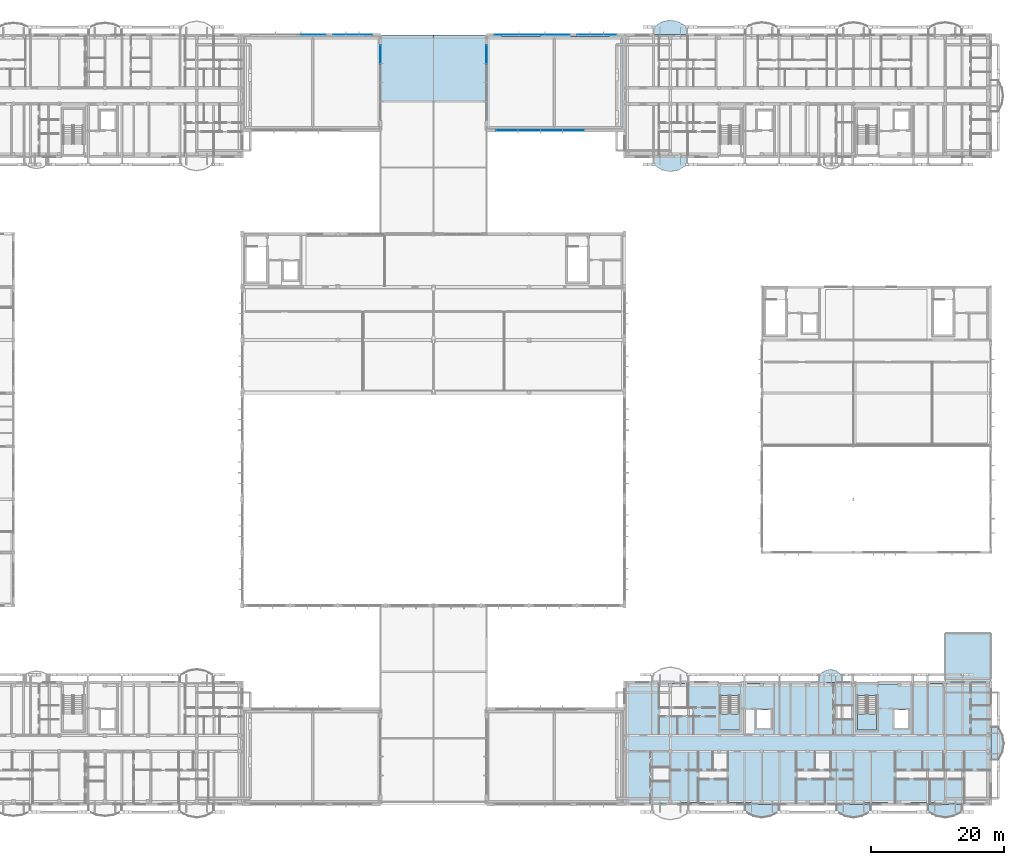
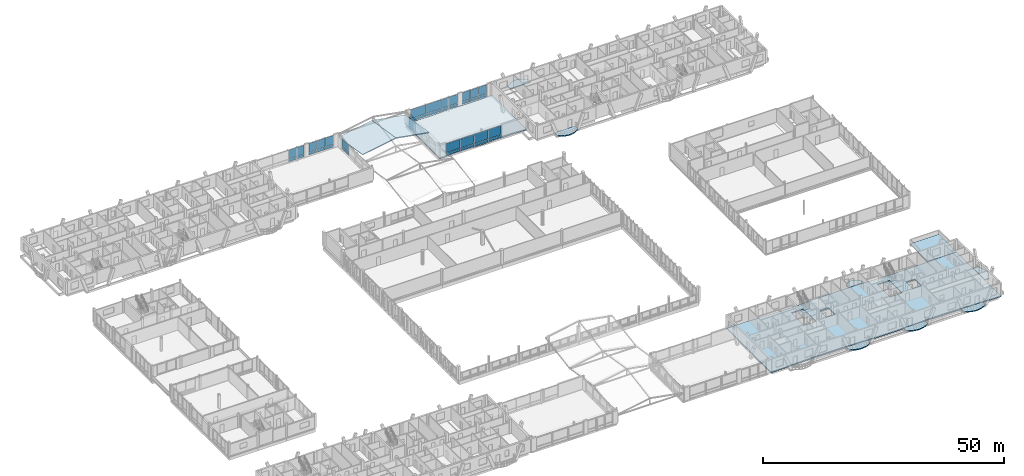
# One storey, part 130 of 189: 32 plates, 14 slabs, 9 elements without a shape of their own.
"""IFC4 building model written with IfcOpenShell, lengths in metres."""

from ifc_helpers import new_model, si_unit, direction, frame, origin, origin_2d, place, context, subcontext, project, spatial, polyline, rectangle, outline, extrude, material, layer, layer_set, type_object, element, aggregate, save


model = new_model("IFC4")

# Units and contexts
model_context = context("Model", 3, precision=1e-05, world=origin(), true_north=direction((0.0, 1.0)))
body_context = subcontext(model_context, "Body", "Model", "MODEL_VIEW")
ifc_project = project(units=[si_unit("LENGTHUNIT", "METRE"), si_unit("AREAUNIT", "SQUARE_METRE"), si_unit("VOLUMEUNIT", "CUBIC_METRE"), si_unit("PLANEANGLEUNIT", "RADIAN"), si_unit("MASSUNIT", "GRAM", prefix="KILO")], contexts=[model_context])

# Site, building, storey
site_placement = place(None, origin())
site = spatial("IfcSite", under=ifc_project, at=site_placement, CompositionType="ELEMENT")
building_placement = place(site_placement, origin())
building = spatial("IfcBuilding", under=site, at=building_placement, Name="Zavelmont Quarter", CompositionType="ELEMENT")
storey_placement = place(building_placement, frame((0.0, 0.0, 4.39990234375)))
storey = spatial("IfcBuildingStorey", under=building, at=storey_placement, Name="L01", CompositionType="ELEMENT", Elevation=4.39990234375)

# Curtain wall, plates
ifc_material_1 = material(Name="Thermally broken aluminium and double low-E safety glazing", Category="aluminium")
curtain_wall_type_1 = type_object("IfcCurtainWallType", Name="CW-600X310", PredefinedType="NOTDEFINED", material=ifc_material_1)
curtain_wall_1_placement = place(storey_placement, origin())
curtain_wall_1 = element("IfcCurtainWall", 1, at=curtain_wall_1_placement, inside=storey, type_object=curtain_wall_type_1, Name="L01 unitised curtain wall CW-600X310", PredefinedType="NOTDEFINED")
ifc_material_2 = material(Name="Insulated anodised-aluminium spandrel panel", Category="aluminium")
ifc_layer_1 = layer(ifc_material_2, 0.0400390625)
ifc_layer_set_1 = layer_set([ifc_layer_1], Name="Insulated anodised-aluminium spandrel panel")
plate_type_1 = type_object("IfcPlateType", Name="CWP-SPD-1910X655", PredefinedType="CURTAIN_PANEL", material=ifc_layer_set_1)
plate_1_placement = place(storey_placement, frame((69.81494140625, 116.0, 0.06005859375), z_axis=(0.0, 0.0, 1.0), x_axis=(1.0, 0.0, 0.0)))
plate_1 = element("IfcPlate", 2, at=plate_1_placement, type_object=plate_type_1, Name="CW-600X310 panel 1.1", PredefinedType="CURTAIN_PANEL", context=body_context, shape_type="SweptSolid", body=[
    extrude(rectangle(XDim=1.909912109375, YDim=0.0400390625, at=origin_2d()), origin(), (0.0, 0.0, 1.0), 0.654052734375),
])
plate_2_placement = place(storey_placement, frame((73.784912109375, 116.0, 0.06005859375), z_axis=(0.0, 0.0, 1.0), x_axis=(1.0, 0.0, 0.0)))
plate_2 = element("IfcPlate", 3, at=plate_2_placement, type_object=plate_type_1, Name="CW-600X310 panel 3.1", PredefinedType="CURTAIN_PANEL", context=body_context, shape_type="SweptSolid", body=[
    extrude(rectangle(XDim=1.909912109375, YDim=0.0400390625, at=origin_2d()), origin(), (0.0, 0.0, 1.0), 0.654052734375),
])

curtain_wall_2_placement = place(storey_placement, origin())
curtain_wall_2 = element("IfcCurtainWall", 4, at=curtain_wall_2_placement, inside=storey, type_object=curtain_wall_type_1, Name="L01 unitised curtain wall CW-600X310", PredefinedType="NOTDEFINED")
plate_3_placement = place(storey_placement, frame((106.614990234375, 116.0, 0.06005859375), z_axis=(0.0, 0.0, 1.0), x_axis=(1.0, 0.0, 0.0)))
plate_3 = element("IfcPlate", 5, at=plate_3_placement, type_object=plate_type_1, Name="CW-600X310 panel 1.1", PredefinedType="CURTAIN_PANEL", context=body_context, shape_type="SweptSolid", body=[
    extrude(rectangle(XDim=1.909912109375, YDim=0.0400390625, at=origin_2d()), origin(), (0.0, 0.0, 1.0), 0.654052734375),
])
plate_4_placement = place(storey_placement, frame((110.5849609375, 116.0, 0.06005859375), z_axis=(0.0, 0.0, 1.0), x_axis=(1.0, 0.0, 0.0)))
plate_4 = element("IfcPlate", 6, at=plate_4_placement, type_object=plate_type_1, Name="CW-600X310 panel 3.1", PredefinedType="CURTAIN_PANEL", context=body_context, shape_type="SweptSolid", body=[
    extrude(rectangle(XDim=1.909912109375, YDim=0.0400390625, at=origin_2d()), origin(), (0.0, 0.0, 1.0), 0.654052734375),
])

# Plate
ifc_layer_2 = layer(ifc_material_2, 0.0400390625)
ifc_layer_set_2 = layer_set([ifc_layer_2], Name="Insulated anodised-aluminium spandrel panel")
plate_type_2 = type_object("IfcPlateType", Name="CWP-SPD-1940X655", PredefinedType="CURTAIN_PANEL", material=ifc_layer_set_2)
plate_5_placement = place(storey_placement, frame((71.800048828125, 116.0, 0.06005859375), z_axis=(0.0, 0.0, 1.0), x_axis=(1.0, 0.0, 0.0)))
plate_5 = element("IfcPlate", 7, at=plate_5_placement, type_object=plate_type_2, Name="CW-600X310 panel 2.1", PredefinedType="CURTAIN_PANEL", context=body_context, shape_type="SweptSolid", body=[
    extrude(rectangle(XDim=1.93994140625, YDim=0.0400390625, at=origin_2d()), origin(), (0.0, 0.0, 1.0), 0.654052734375),
])

plate_6_placement = place(storey_placement, frame((108.60009765625, 116.0, 0.06005859375), z_axis=(0.0, 0.0, 1.0), x_axis=(1.0, 0.0, 0.0)))
plate_6 = element("IfcPlate", 8, at=plate_6_placement, type_object=plate_type_2, Name="CW-600X310 panel 2.1", PredefinedType="CURTAIN_PANEL", context=body_context, shape_type="SweptSolid", body=[
    extrude(rectangle(XDim=1.93994140625, YDim=0.0400390625, at=origin_2d()), origin(), (0.0, 0.0, 1.0), 0.654052734375),
])

# Curtain wall, plate
curtain_wall_type_2 = type_object("IfcCurtainWallType", Name="CW-1140X280", PredefinedType="NOTDEFINED", material=ifc_material_1)
curtain_wall_3_placement = place(storey_placement, origin())
curtain_wall_3 = element("IfcCurtainWall", 9, at=curtain_wall_3_placement, inside=storey, type_object=curtain_wall_type_2, Name="L01 unitised curtain wall CW-1140X280", PredefinedType="NOTDEFINED")
ifc_layer_3 = layer(ifc_material_2, 0.0400390625)
ifc_layer_set_3 = layer_set([ifc_layer_3], Name="Insulated anodised-aluminium spandrel panel")
plate_type_3 = type_object("IfcPlateType", Name="CWP-SPD-2760X580", PredefinedType="CURTAIN_PANEL", material=ifc_layer_set_3)
plate_7_placement = place(storey_placement, frame((76.0, 113.06005859375, 0.06005859375), z_axis=(0.0, 0.0, 1.0), x_axis=(0.0, 1.0, 0.0)))
plate_7 = element("IfcPlate", 10, at=plate_7_placement, type_object=plate_type_3, Name="CW-1140X280 panel 4.1", PredefinedType="CURTAIN_PANEL", context=body_context, shape_type="SweptSolid", body=[
    extrude(rectangle(XDim=2.760009765625, YDim=0.0400390625, at=origin_2d()), origin(), (0.0, 0.0, 1.0), 0.58203125),
])

curtain_wall_4_placement = place(storey_placement, origin())
curtain_wall_4 = element("IfcCurtainWall", 11, at=curtain_wall_4_placement, inside=storey, type_object=curtain_wall_type_2, Name="L01 unitised curtain wall CW-1140X280", PredefinedType="NOTDEFINED")
plate_8_placement = place(storey_placement, frame((92.0, 113.06005859375, 0.06005859375), z_axis=(0.0, 0.0, 1.0), x_axis=(0.0, 1.0, 0.0)))
plate_8 = element("IfcPlate", 12, at=plate_8_placement, type_object=plate_type_3, Name="CW-1140X280 panel 4.1", PredefinedType="CURTAIN_PANEL", context=body_context, shape_type="SweptSolid", body=[
    extrude(rectangle(XDim=2.760009765625, YDim=0.0400390625, at=origin_2d()), origin(), (0.0, 0.0, 1.0), 0.58203125),
])

# Curtain wall, plates
curtain_wall_type_3 = type_object("IfcCurtainWallType", Name="CW-1340X310", PredefinedType="NOTDEFINED", material=ifc_material_1)
curtain_wall_5_placement = place(storey_placement, origin())
curtain_wall_5 = element("IfcCurtainWall", 13, at=curtain_wall_5_placement, inside=storey, type_object=curtain_wall_type_3, Name="L01 unitised curtain wall CW-1340X310", PredefinedType="NOTDEFINED")
ifc_layer_4 = layer(ifc_material_2, 0.0400390625)
ifc_layer_set_4 = layer_set([ifc_layer_4], Name="Insulated anodised-aluminium spandrel panel")
plate_type_4 = type_object("IfcPlateType", Name="CWP-SPD-3260X655", PredefinedType="CURTAIN_PANEL", material=ifc_layer_set_4)
plate_9_placement = place(storey_placement, frame((95.090087890625, 101.60009765625, 0.06005859375), z_axis=(0.0, 0.0, 1.0), x_axis=(1.0, 0.0, 0.0)))
plate_9 = element("IfcPlate", 14, at=plate_9_placement, type_object=plate_type_4, Name="CW-1340X310 panel 1.1", PredefinedType="CURTAIN_PANEL", context=body_context, shape_type="SweptSolid", body=[
    extrude(rectangle(XDim=3.260009765625, YDim=0.0400390625, at=origin_2d()), origin(), (0.0, 0.0, 1.0), 0.654052734375),
])
plate_10_placement = place(storey_placement, frame((105.110107421875, 101.60009765625, 0.06005859375), z_axis=(0.0, 0.0, 1.0), x_axis=(1.0, 0.0, 0.0)))
plate_10 = element("IfcPlate", 15, at=plate_10_placement, type_object=plate_type_4, Name="CW-1340X310 panel 4.1", PredefinedType="CURTAIN_PANEL", context=body_context, shape_type="SweptSolid", body=[
    extrude(rectangle(XDim=3.260009765625, YDim=0.0400390625, at=origin_2d()), origin(), (0.0, 0.0, 1.0), 0.654052734375),
])
ifc_layer_5 = layer(ifc_material_2, 0.0400390625)
ifc_layer_set_5 = layer_set([ifc_layer_5], Name="Insulated anodised-aluminium spandrel panel")
plate_type_5 = type_object("IfcPlateType", Name="CWP-SPD-3290X655", PredefinedType="CURTAIN_PANEL", material=ifc_layer_set_5)
plate_11_placement = place(storey_placement, frame((98.425048828125, 101.60009765625, 0.06005859375), z_axis=(0.0, 0.0, 1.0), x_axis=(1.0, 0.0, 0.0)))
plate_11 = element("IfcPlate", 16, at=plate_11_placement, type_object=plate_type_5, Name="CW-1340X310 panel 2.1", PredefinedType="CURTAIN_PANEL", context=body_context, shape_type="SweptSolid", body=[
    extrude(rectangle(XDim=3.2900390625, YDim=0.0400390625, at=origin_2d()), origin(), (0.0, 0.0, 1.0), 0.654052734375),
])
plate_12_placement = place(storey_placement, frame((101.77490234375, 101.60009765625, 0.06005859375), z_axis=(0.0, 0.0, 1.0), x_axis=(1.0, 0.0, 0.0)))
plate_12 = element("IfcPlate", 17, at=plate_12_placement, type_object=plate_type_5, Name="CW-1340X310 panel 3.1", PredefinedType="CURTAIN_PANEL", context=body_context, shape_type="SweptSolid", body=[
    extrude(rectangle(XDim=3.2900390625, YDim=0.0400390625, at=origin_2d()), origin(), (0.0, 0.0, 1.0), 0.654052734375),
])

# Curtain wall, plate
curtain_wall_type_4 = type_object("IfcCurtainWallType", Name="CW-1140X310", PredefinedType="NOTDEFINED", material=ifc_material_1)
curtain_wall_6_placement = place(storey_placement, origin())
curtain_wall_6 = element("IfcCurtainWall", 18, at=curtain_wall_6_placement, inside=storey, type_object=curtain_wall_type_4, Name="L01 unitised curtain wall CW-1140X310", PredefinedType="NOTDEFINED")
ifc_layer_6 = layer(ifc_material_2, 0.0400390625)
ifc_layer_set_6 = layer_set([ifc_layer_6], Name="Insulated anodised-aluminium spandrel panel")
plate_type_6 = type_object("IfcPlateType", Name="CWP-SPD-3710X655", PredefinedType="CURTAIN_PANEL", material=ifc_layer_set_6)
plate_13_placement = place(storey_placement, frame((65.885009765625, 116.0, 0.06005859375), z_axis=(0.0, 0.0, 1.0), x_axis=(1.0, 0.0, 0.0)))
plate_13 = element("IfcPlate", 19, at=plate_13_placement, type_object=plate_type_6, Name="CW-1140X310 panel 3.1", PredefinedType="CURTAIN_PANEL", context=body_context, shape_type="SweptSolid", body=[
    extrude(rectangle(XDim=3.7099609375, YDim=0.0400390625, at=origin_2d()), origin(), (0.0, 0.0, 1.0), 0.654052734375),
])

# Curtain wall, plates
curtain_wall_7_placement = place(storey_placement, origin())
curtain_wall_7 = element("IfcCurtainWall", 20, at=curtain_wall_7_placement, inside=storey, type_object=curtain_wall_type_4, Name="L01 unitised curtain wall CW-1140X310", PredefinedType="NOTDEFINED")
plate_14_placement = place(storey_placement, frame((95.114990234375, 116.0, 0.06005859375), z_axis=(0.0, 0.0, 1.0), x_axis=(1.0, 0.0, 0.0)))
plate_14 = element("IfcPlate", 21, at=plate_14_placement, type_object=plate_type_6, Name="CW-1140X310 panel 1.1", PredefinedType="CURTAIN_PANEL", context=body_context, shape_type="SweptSolid", body=[
    extrude(rectangle(XDim=3.7099609375, YDim=0.0400390625, at=origin_2d()), origin(), (0.0, 0.0, 1.0), 0.654052734375),
])
plate_15_placement = place(storey_placement, frame((102.68505859375, 116.0, 0.06005859375), z_axis=(0.0, 0.0, 1.0), x_axis=(1.0, 0.0, 0.0)))
plate_15 = element("IfcPlate", 22, at=plate_15_placement, type_object=plate_type_6, Name="CW-1140X310 panel 3.1", PredefinedType="CURTAIN_PANEL", context=body_context, shape_type="SweptSolid", body=[
    extrude(rectangle(XDim=3.7099609375, YDim=0.0400390625, at=origin_2d()), origin(), (0.0, 0.0, 1.0), 0.654052734375),
])
ifc_layer_7 = layer(ifc_material_2, 0.0400390625)
ifc_layer_set_7 = layer_set([ifc_layer_7], Name="Insulated anodised-aluminium spandrel panel")
plate_type_7 = type_object("IfcPlateType", Name="CWP-SPD-3740X655", PredefinedType="CURTAIN_PANEL", material=ifc_layer_set_7)
plate_16_placement = place(storey_placement, frame((98.89990234375, 116.0, 0.06005859375), z_axis=(0.0, 0.0, 1.0), x_axis=(1.0, 0.0, 0.0)))
plate_16 = element("IfcPlate", 23, at=plate_16_placement, type_object=plate_type_7, Name="CW-1140X310 panel 2.1", PredefinedType="CURTAIN_PANEL", context=body_context, shape_type="SweptSolid", body=[
    extrude(rectangle(XDim=3.739990234375, YDim=0.0400390625, at=origin_2d()), origin(), (0.0, 0.0, 1.0), 0.654052734375),
])

# Plate
ifc_material_3 = material(Name="Double low-E insulated vision glass", Category="glass")
ifc_layer_8 = layer(ifc_material_3, 0.028076171875)
ifc_layer_set_8 = layer_set([ifc_layer_8], Name="Double low-E insulated vision glass")
plate_type_8 = type_object("IfcPlateType", Name="CWP-VIS-1910X2265", PredefinedType="CURTAIN_PANEL", material=ifc_layer_set_8)
plate_17_placement = place(storey_placement, frame((69.81494140625, 116.0, 0.77392578125), z_axis=(0.0, 0.0, 1.0), x_axis=(1.0, 0.0, 0.0)))
plate_17 = element("IfcPlate", 24, at=plate_17_placement, type_object=plate_type_8, Name="CW-600X310 panel 1.2", PredefinedType="CURTAIN_PANEL", context=body_context, shape_type="SweptSolid", body=[
    extrude(rectangle(XDim=1.909912109375, YDim=0.028076171875, at=origin_2d()), origin(), (0.0, 0.0, 1.0), 2.26611328125),
])

plate_18_placement = place(storey_placement, frame((73.784912109375, 116.0, 0.77392578125), z_axis=(0.0, 0.0, 1.0), x_axis=(1.0, 0.0, 0.0)))
plate_18 = element("IfcPlate", 25, at=plate_18_placement, type_object=plate_type_8, Name="CW-600X310 panel 3.2", PredefinedType="CURTAIN_PANEL", context=body_context, shape_type="SweptSolid", body=[
    extrude(rectangle(XDim=1.909912109375, YDim=0.028076171875, at=origin_2d()), origin(), (0.0, 0.0, 1.0), 2.26611328125),
])

plate_19_placement = place(storey_placement, frame((106.614990234375, 116.0, 0.77392578125), z_axis=(0.0, 0.0, 1.0), x_axis=(1.0, 0.0, 0.0)))
plate_19 = element("IfcPlate", 26, at=plate_19_placement, type_object=plate_type_8, Name="CW-600X310 panel 1.2", PredefinedType="CURTAIN_PANEL", context=body_context, shape_type="SweptSolid", body=[
    extrude(rectangle(XDim=1.909912109375, YDim=0.028076171875, at=origin_2d()), origin(), (0.0, 0.0, 1.0), 2.26611328125),
])

plate_20_placement = place(storey_placement, frame((110.5849609375, 116.0, 0.77392578125), z_axis=(0.0, 0.0, 1.0), x_axis=(1.0, 0.0, 0.0)))
plate_20 = element("IfcPlate", 27, at=plate_20_placement, type_object=plate_type_8, Name="CW-600X310 panel 3.2", PredefinedType="CURTAIN_PANEL", context=body_context, shape_type="SweptSolid", body=[
    extrude(rectangle(XDim=1.909912109375, YDim=0.028076171875, at=origin_2d()), origin(), (0.0, 0.0, 1.0), 2.26611328125),
])

ifc_layer_9 = layer(ifc_material_3, 0.028076171875)
ifc_layer_set_9 = layer_set([ifc_layer_9], Name="Double low-E insulated vision glass")
plate_type_9 = type_object("IfcPlateType", Name="CWP-VIS-1940X2265", PredefinedType="CURTAIN_PANEL", material=ifc_layer_set_9)
plate_21_placement = place(storey_placement, frame((71.800048828125, 116.0, 0.77392578125), z_axis=(0.0, 0.0, 1.0), x_axis=(1.0, 0.0, 0.0)))
plate_21 = element("IfcPlate", 28, at=plate_21_placement, type_object=plate_type_9, Name="CW-600X310 panel 2.2", PredefinedType="CURTAIN_PANEL", context=body_context, shape_type="SweptSolid", body=[
    extrude(rectangle(XDim=1.93994140625, YDim=0.028076171875, at=origin_2d()), origin(), (0.0, 0.0, 1.0), 2.26611328125),
])

aggregate(curtain_wall_1, [plate_1, plate_17, plate_5, plate_21, plate_2, plate_18])

plate_22_placement = place(storey_placement, frame((108.60009765625, 116.0, 0.77392578125), z_axis=(0.0, 0.0, 1.0), x_axis=(1.0, 0.0, 0.0)))
plate_22 = element("IfcPlate", 29, at=plate_22_placement, type_object=plate_type_9, Name="CW-600X310 panel 2.2", PredefinedType="CURTAIN_PANEL", context=body_context, shape_type="SweptSolid", body=[
    extrude(rectangle(XDim=1.93994140625, YDim=0.028076171875, at=origin_2d()), origin(), (0.0, 0.0, 1.0), 2.26611328125),
])

aggregate(curtain_wall_2, [plate_3, plate_19, plate_6, plate_22, plate_4, plate_20])

ifc_layer_10 = layer(ifc_material_3, 0.028076171875)
ifc_layer_set_10 = layer_set([ifc_layer_10], Name="Double low-E insulated vision glass")
plate_type_10 = type_object("IfcPlateType", Name="CWP-VIS-2760X2040", PredefinedType="CURTAIN_PANEL", material=ifc_layer_set_10)
plate_23_placement = place(storey_placement, frame((76.0, 113.06005859375, 0.7021484375), z_axis=(0.0, 0.0, 1.0), x_axis=(0.0, 1.0, 0.0)))
plate_23 = element("IfcPlate", 30, at=plate_23_placement, type_object=plate_type_10, Name="CW-1140X280 panel 4.2", PredefinedType="CURTAIN_PANEL", context=body_context, shape_type="SweptSolid", body=[
    extrude(rectangle(XDim=2.760009765625, YDim=0.028076171875, at=origin_2d()), origin(), (0.0, 0.0, 1.0), 2.0380859375),
])

aggregate(curtain_wall_3, [plate_7, plate_23])

plate_24_placement = place(storey_placement, frame((92.0, 113.06005859375, 0.7021484375), z_axis=(0.0, 0.0, 1.0), x_axis=(0.0, 1.0, 0.0)))
plate_24 = element("IfcPlate", 31, at=plate_24_placement, type_object=plate_type_10, Name="CW-1140X280 panel 4.2", PredefinedType="CURTAIN_PANEL", context=body_context, shape_type="SweptSolid", body=[
    extrude(rectangle(XDim=2.760009765625, YDim=0.028076171875, at=origin_2d()), origin(), (0.0, 0.0, 1.0), 2.0380859375),
])

aggregate(curtain_wall_4, [plate_8, plate_24])

ifc_layer_11 = layer(ifc_material_3, 0.028076171875)
ifc_layer_set_11 = layer_set([ifc_layer_11], Name="Double low-E insulated vision glass")
plate_type_11 = type_object("IfcPlateType", Name="CWP-VIS-3260X2265", PredefinedType="CURTAIN_PANEL", material=ifc_layer_set_11)
plate_25_placement = place(storey_placement, frame((95.090087890625, 101.60009765625, 0.77392578125), z_axis=(0.0, 0.0, 1.0), x_axis=(1.0, 0.0, 0.0)))
plate_25 = element("IfcPlate", 32, at=plate_25_placement, type_object=plate_type_11, Name="CW-1340X310 panel 1.2", PredefinedType="CURTAIN_PANEL", context=body_context, shape_type="SweptSolid", body=[
    extrude(rectangle(XDim=3.260009765625, YDim=0.028076171875, at=origin_2d()), origin(), (0.0, 0.0, 1.0), 2.26611328125),
])

plate_26_placement = place(storey_placement, frame((105.110107421875, 101.60009765625, 0.77392578125), z_axis=(0.0, 0.0, 1.0), x_axis=(1.0, 0.0, 0.0)))
plate_26 = element("IfcPlate", 33, at=plate_26_placement, type_object=plate_type_11, Name="CW-1340X310 panel 4.2", PredefinedType="CURTAIN_PANEL", context=body_context, shape_type="SweptSolid", body=[
    extrude(rectangle(XDim=3.260009765625, YDim=0.028076171875, at=origin_2d()), origin(), (0.0, 0.0, 1.0), 2.26611328125),
])

ifc_layer_12 = layer(ifc_material_3, 0.028076171875)
ifc_layer_set_12 = layer_set([ifc_layer_12], Name="Double low-E insulated vision glass")
plate_type_12 = type_object("IfcPlateType", Name="CWP-VIS-3290X2265", PredefinedType="CURTAIN_PANEL", material=ifc_layer_set_12)
plate_27_placement = place(storey_placement, frame((98.425048828125, 101.60009765625, 0.77392578125), z_axis=(0.0, 0.0, 1.0), x_axis=(1.0, 0.0, 0.0)))
plate_27 = element("IfcPlate", 34, at=plate_27_placement, type_object=plate_type_12, Name="CW-1340X310 panel 2.2", PredefinedType="CURTAIN_PANEL", context=body_context, shape_type="SweptSolid", body=[
    extrude(rectangle(XDim=3.2900390625, YDim=0.028076171875, at=origin_2d()), origin(), (0.0, 0.0, 1.0), 2.26611328125),
])

plate_28_placement = place(storey_placement, frame((101.77490234375, 101.60009765625, 0.77392578125), z_axis=(0.0, 0.0, 1.0), x_axis=(1.0, 0.0, 0.0)))
plate_28 = element("IfcPlate", 35, at=plate_28_placement, type_object=plate_type_12, Name="CW-1340X310 panel 3.2", PredefinedType="CURTAIN_PANEL", context=body_context, shape_type="SweptSolid", body=[
    extrude(rectangle(XDim=3.2900390625, YDim=0.028076171875, at=origin_2d()), origin(), (0.0, 0.0, 1.0), 2.26611328125),
])

aggregate(curtain_wall_5, [plate_9, plate_25, plate_11, plate_27, plate_12, plate_28, plate_10, plate_26])

ifc_layer_13 = layer(ifc_material_3, 0.028076171875)
ifc_layer_set_13 = layer_set([ifc_layer_13], Name="Double low-E insulated vision glass")
plate_type_13 = type_object("IfcPlateType", Name="CWP-VIS-3710X2265", PredefinedType="CURTAIN_PANEL", material=ifc_layer_set_13)
plate_29_placement = place(storey_placement, frame((65.885009765625, 116.0, 0.77392578125), z_axis=(0.0, 0.0, 1.0), x_axis=(1.0, 0.0, 0.0)))
plate_29 = element("IfcPlate", 36, at=plate_29_placement, type_object=plate_type_13, Name="CW-1140X310 panel 3.2", PredefinedType="CURTAIN_PANEL", context=body_context, shape_type="SweptSolid", body=[
    extrude(rectangle(XDim=3.7099609375, YDim=0.028076171875, at=origin_2d()), origin(), (0.0, 0.0, 1.0), 2.26611328125),
])

aggregate(curtain_wall_6, [plate_13, plate_29])

plate_30_placement = place(storey_placement, frame((95.114990234375, 116.0, 0.77392578125), z_axis=(0.0, 0.0, 1.0), x_axis=(1.0, 0.0, 0.0)))
plate_30 = element("IfcPlate", 37, at=plate_30_placement, type_object=plate_type_13, Name="CW-1140X310 panel 1.2", PredefinedType="CURTAIN_PANEL", context=body_context, shape_type="SweptSolid", body=[
    extrude(rectangle(XDim=3.7099609375, YDim=0.028076171875, at=origin_2d()), origin(), (0.0, 0.0, 1.0), 2.26611328125),
])

plate_31_placement = place(storey_placement, frame((102.68505859375, 116.0, 0.77392578125), z_axis=(0.0, 0.0, 1.0), x_axis=(1.0, 0.0, 0.0)))
plate_31 = element("IfcPlate", 38, at=plate_31_placement, type_object=plate_type_13, Name="CW-1140X310 panel 3.2", PredefinedType="CURTAIN_PANEL", context=body_context, shape_type="SweptSolid", body=[
    extrude(rectangle(XDim=3.7099609375, YDim=0.028076171875, at=origin_2d()), origin(), (0.0, 0.0, 1.0), 2.26611328125),
])

ifc_layer_14 = layer(ifc_material_3, 0.028076171875)
ifc_layer_set_14 = layer_set([ifc_layer_14], Name="Double low-E insulated vision glass")
plate_type_14 = type_object("IfcPlateType", Name="CWP-VIS-3740X2265", PredefinedType="CURTAIN_PANEL", material=ifc_layer_set_14)
plate_32_placement = place(storey_placement, frame((98.89990234375, 116.0, 0.77392578125), z_axis=(0.0, 0.0, 1.0), x_axis=(1.0, 0.0, 0.0)))
plate_32 = element("IfcPlate", 39, at=plate_32_placement, type_object=plate_type_14, Name="CW-1140X310 panel 2.2", PredefinedType="CURTAIN_PANEL", context=body_context, shape_type="SweptSolid", body=[
    extrude(rectangle(XDim=3.739990234375, YDim=0.028076171875, at=origin_2d()), origin(), (0.0, 0.0, 1.0), 2.26611328125),
])

aggregate(curtain_wall_7, [plate_14, plate_30, plate_16, plate_32, plate_15, plate_31])

# Slabs
ifc_material_4 = material(Name="Concrete C35/45", Category="concrete")
ifc_layer_15 = layer(ifc_material_4, 0.2099609375)
ifc_layer_set_15 = layer_set([ifc_layer_15], Name="Concrete C35/45")
slab_type_1 = type_object("IfcSlabType", Name="PSE6", PredefinedType="ROOF", material=ifc_layer_set_15)
slab_1_placement = place(storey_placement, frame((84.0, 106.0, 5.22509765625), z_axis=(0.171571548155, 0.158017662267, 0.972416383179), x_axis=(0.984788990656, 0.0, -0.17375455068)))
element("IfcSlab", 40, at=slab_1_placement, inside=storey, type_object=slab_type_1, Name="Sloped clerestory roof PSE6", PredefinedType="ROOF", context=body_context, shape_type="SweptSolid", body=[
    extrude(outline(polyline([(0.0, 0.0), (8.143896415723395, 0.0), (8.426247560578698, 10.127235695440236), (0.28235114485530316, 10.127235695440236), (0.0, 0.0)])), origin(), (0.0, 0.0, -1.0), 0.2099609375),
])
ifc_layer_16 = layer(ifc_material_4, 0.2099609375)
ifc_layer_set_16 = layer_set([ifc_layer_16], Name="Concrete C35/45")
slab_type_2 = type_object("IfcSlabType", Name="PSW6", PredefinedType="ROOF", material=ifc_layer_set_16)
slab_2_placement = place(storey_placement, frame((75.97998046875, 106.0, 3.81005859375), z_axis=(-0.171571548155, 0.158017662267, 0.972416383179), x_axis=(0.984788990656, 0.0, 0.17375455068)))
element("IfcSlab", 41, at=slab_2_placement, inside=storey, type_object=slab_type_2, Name="Sloped clerestory roof PSW6", PredefinedType="ROOF", context=body_context, shape_type="SweptSolid", body=[
    extrude(outline(polyline([(0.0, 0.0), (8.143896415723395, 0.0), (7.861545270868091, 10.127235695440236), (-0.28235114485530316, 10.127235695440236), (0.0, 0.0)])), origin(), (0.0, 0.0, -1.0), 0.2099609375),
])
ifc_material_5 = material(Name="White architectural precast concrete C40/50", Category="concrete")
ifc_layer_17 = layer(ifc_material_5, 0.235107421875)
ifc_layer_set_17 = layer_set([ifc_layer_17], Name="White architectural precast concrete C40/50")
slab_type_3 = type_object("IfcSlabType", Name="SL-BL180", PredefinedType="FLOOR", material=ifc_layer_set_17)
slab_3_placement = place(storey_placement, frame((0.0, 0.0, -0.23486328125)))
element("IfcSlab", 42, at=slab_3_placement, inside=storey, type_object=slab_type_3, Name="L01 Block C street vase 1 balcony SL-BL180", PredefinedType="FLOOR", context=body_context, shape_type="SweptSolid", body=[
    extrude(outline(polyline([(122.126708984375, 116.02001953125), (122.126708984375, 117.2392578125), (120.913330078125, 117.969482421875), (119.699951171875, 118.212890625), (118.48681640625, 117.969482421875), (117.2734375, 117.2392578125), (117.2734375, 116.02001953125), (122.126708984375, 116.02001953125)])), origin(), (0.0, 0.0, 1.0), 0.23486328125),
])
slab_4_placement = place(storey_placement, frame((0.0, 0.0, -0.23486328125)))
element("IfcSlab", 43, at=slab_4_placement, inside=storey, type_object=slab_type_3, Name="L01 Block D street vase 4 balcony SL-BL180", PredefinedType="FLOOR", context=body_context, shape_type="SweptSolid", body=[
    extrude(outline(polyline([(158.5673828125, -0.02001953125), (158.5673828125, -1.100341796875), (159.833740234375, -1.748779296875), (161.10009765625, -1.965087890625), (162.3662109375, -1.748779296875), (163.632568359375, -1.100341796875), (163.632568359375, -0.02001953125), (158.5673828125, -0.02001953125)])), origin(), (0.0, 0.0, 1.0), 0.23486328125),
])
slab_5_placement = place(storey_placement, frame((0.0, 0.0, -0.23486328125)))
element("IfcSlab", 44, at=slab_5_placement, inside=storey, type_object=slab_type_3, Name="L01 Block D courtyard central vase balcony SL-BL180", PredefinedType="FLOOR", context=body_context, shape_type="SweptSolid", body=[
    extrude(outline(polyline([(145.597412109375, 18.419921875), (145.597412109375, 19.50048828125), (144.7236328125, 20.148681640625), (143.85009765625, 20.364990234375), (142.976318359375, 20.148681640625), (142.1025390625, 19.50048828125), (142.1025390625, 18.419921875), (145.597412109375, 18.419921875)])), origin(), (0.0, 0.0, 1.0), 0.23486328125),
])
ifc_layer_18 = layer(ifc_material_5, 0.2451171875)
ifc_layer_set_18 = layer_set([ifc_layer_18], Name="White architectural precast concrete C40/50")
slab_type_4 = type_object("IfcSlabType", Name="SL-BL200", PredefinedType="FLOOR", material=ifc_layer_set_18)
slab_6_placement = place(storey_placement, frame((0.0, 0.0, -0.244873046875)))
element("IfcSlab", 45, at=slab_6_placement, inside=storey, type_object=slab_type_4, Name="L01 Block C courtyard outer vase balcony SL-BL200", PredefinedType="FLOOR", context=body_context, shape_type="SweptSolid", body=[
    extrude(outline(polyline([(117.2734375, 97.580078125), (117.2734375, 96.360595703125), (118.48681640625, 95.63037109375), (119.699951171875, 95.386962890625), (120.913330078125, 95.63037109375), (122.126708984375, 96.360595703125), (122.126708984375, 97.580078125), (117.2734375, 97.580078125)])), origin(), (0.0, 0.0, 1.0), 0.244873046875),
])
slab_7_placement = place(storey_placement, frame((0.0, 0.0, -0.244873046875)))
element("IfcSlab", 46, at=slab_7_placement, inside=storey, type_object=slab_type_4, Name="L01 Block D street vase 3 balcony SL-BL200", PredefinedType="FLOOR", context=body_context, shape_type="SweptSolid", body=[
    extrude(outline(polyline([(144.767333984375, -0.02001953125), (144.767333984375, -1.100341796875), (146.03369140625, -1.748779296875), (147.300048828125, -1.965087890625), (148.56640625, -1.748779296875), (149.83251953125, -1.100341796875), (149.83251953125, -0.02001953125), (144.767333984375, -0.02001953125)])), origin(), (0.0, 0.0, 1.0), 0.244873046875),
])
ifc_layer_19 = layer(ifc_material_5, 0.2548828125)
ifc_layer_set_19 = layer_set([ifc_layer_19], Name="White architectural precast concrete C40/50")
slab_type_5 = type_object("IfcSlabType", Name="SL-BL220", PredefinedType="FLOOR", material=ifc_layer_set_19)
slab_8_placement = place(storey_placement, frame((0.0, 0.0, -0.2548828125)))
element("IfcSlab", 47, at=slab_8_placement, inside=storey, type_object=slab_type_5, Name="L01 Block D street vase 2 balcony SL-BL220", PredefinedType="FLOOR", context=body_context, shape_type="SweptSolid", body=[
    extrude(outline(polyline([(130.96728515625, -0.02001953125), (130.96728515625, -1.100341796875), (132.233642578125, -1.748779296875), (133.5, -1.965087890625), (134.766357421875, -1.748779296875), (136.03271484375, -1.100341796875), (136.03271484375, -0.02001953125), (130.96728515625, -0.02001953125)])), origin(), (0.0, 0.0, 1.0), 0.2548828125),
])
slab_9_placement = place(storey_placement, frame((0.0, 0.0, -0.2548828125)))
element("IfcSlab", 48, at=slab_9_placement, inside=storey, type_object=slab_type_5, Name="L01 Block D boulevard vase balcony SL-BL220", PredefinedType="FLOOR", context=body_context, shape_type="SweptSolid", body=[
    extrude(outline(polyline([(168.02001953125, 6.732666015625), (169.100341796875, 6.732666015625), (169.748779296875, 7.96630859375), (169.965087890625, 9.199951171875), (169.748779296875, 10.43359375), (169.100341796875, 11.667236328125), (168.02001953125, 11.667236328125), (168.02001953125, 6.732666015625)])), origin(), (0.0, 0.0, 1.0), 0.2548828125),
])
ifc_material_6 = material(Name="Concrete C40/50", Category="concrete")
ifc_layer_20 = layer(ifc_material_6, 0.280029296875)
ifc_layer_set_20 = layer_set([ifc_layer_20], Name="Concrete C40/50")
slab_type_6 = type_object("IfcSlabType", Name="SL-FL280", PredefinedType="FLOOR", material=ifc_layer_set_20)
slab_10_placement = place(storey_placement, frame((0.0, 0.0, -0.27978515625)))
element("IfcSlab", 49, at=slab_10_placement, inside=storey, type_object=slab_type_6, Name="L01 North-East Street Arcade Wing L01 gallery floor SL-FL280", PredefinedType="FLOOR", context=body_context, shape_type="SweptSolid", body=[
    extrude(outline(polyline([(92.0, 101.60009765625), (95.466796875, 101.81005859375), (98.933349609375, 101.81005859375), (102.39990234375, 101.60009765625), (105.86669921875, 101.81005859375), (109.333251953125, 101.81005859375), (112.800048828125, 101.60009765625), (112.800048828125, 105.199951171875), (112.800048828125, 108.800048828125), (112.800048828125, 112.39990234375), (112.800048828125, 116.0), (109.333251953125, 115.7900390625), (105.86669921875, 115.7900390625), (102.39990234375, 116.0), (98.933349609375, 115.7900390625), (95.466796875, 115.7900390625), (92.0, 116.0), (92.0, 112.39990234375), (92.0, 108.800048828125), (92.0, 105.199951171875), (92.0, 101.60009765625)])), origin(), (0.0, 0.0, 1.0), 0.27978515625),
])
slab_11_placement = place(storey_placement, frame((0.0, 0.0, -0.27978515625)))
element("IfcSlab", 50, at=slab_11_placement, inside=storey, type_object=slab_type_6, Name="L01 Block D floor slab SL-FL280", PredefinedType="FLOOR", context=body_context, shape_type="SweptSolid", body=[
    extrude(outline(polyline([(112.800048828125, 0.0), (116.25, 0.041015625), (119.699951171875, 0.139892578125), (123.14990234375, 0.239013671875), (126.60009765625, 0.280029296875), (130.050048828125, 0.239013671875), (133.5, 0.139892578125), (136.949951171875, 0.041015625), (140.39990234375, 0.0), (143.85009765625, 0.041015625), (147.300048828125, 0.139892578125), (150.75, 0.239013671875), (154.199951171875, 0.280029296875), (157.64990234375, 0.239013671875), (161.10009765625, 0.139892578125), (164.550048828125, 0.041015625), (168.0, 0.0), (168.0, 3.679931640625), (168.0, 7.360107421875), (168.0, 11.0400390625), (168.0, 14.719970703125), (168.0, 18.39990234375), (164.550048828125, 18.35888671875), (161.10009765625, 18.260009765625), (157.64990234375, 18.160888671875), (154.199951171875, 18.1201171875), (150.75, 18.160888671875), (147.300048828125, 18.260009765625), (143.85009765625, 18.35888671875), (140.39990234375, 18.39990234375), (136.949951171875, 18.35888671875), (133.5, 18.260009765625), (130.050048828125, 18.160888671875), (126.60009765625, 18.1201171875), (123.14990234375, 18.160888671875), (119.699951171875, 18.260009765625), (116.25, 18.35888671875), (112.800048828125, 18.39990234375), (112.800048828125, 14.719970703125), (112.800048828125, 11.0400390625), (112.800048828125, 7.360107421875), (112.800048828125, 3.679931640625), (112.800048828125, 0.0)]), holes=[polyline([(127.199951171875, 16.425048828125), (127.199951171875, 11.199951171875), (130.10009765625, 11.199951171875), (130.10009765625, 16.425048828125), (127.199951171875, 16.425048828125)]), polyline([(132.75, 11.5), (134.85009765625, 11.5), (134.85009765625, 14.25), (132.75, 14.25), (132.75, 11.5)]), polyline([(147.89990234375, 16.425048828125), (147.89990234375, 11.199951171875), (150.800048828125, 11.199951171875), (150.800048828125, 16.425048828125), (147.89990234375, 16.425048828125)]), polyline([(153.449951171875, 11.5), (155.550048828125, 11.5), (155.550048828125, 14.25), (153.449951171875, 14.25), (153.449951171875, 11.5)])]), origin(), (0.0, 0.0, 1.0), 0.27978515625),
])

# Stair, slab
stair_type = type_object("IfcStairType", Name="STR-1350-1800", PredefinedType="HALF_TURN_STAIR", material=ifc_material_4)
stair_1_placement = place(storey_placement, origin())
stair_1 = element("IfcStair", 51, at=stair_1_placement, inside=storey, type_object=stair_type, Name="L01 protected stair ST07", PredefinedType="HALF_TURN_STAIR")
ifc_layer_21 = layer(ifc_material_4, 0.199951171875)
ifc_layer_set_21 = layer_set([ifc_layer_21], Name="Concrete C35/45")
slab_type_7 = type_object("IfcSlabType", Name="SL-LND200", PredefinedType="LANDING", material=ifc_layer_set_21)
slab_12_placement = place(storey_placement, frame((0.0, 0.0, 1.60009765625)))
slab_12 = element("IfcSlab", 52, at=slab_12_placement, type_object=slab_type_7, Name="ST07 landing 1", PredefinedType="LANDING", context=body_context, shape_type="SweptSolid", body=[
    extrude(outline(polyline([(127.199951171875, 13.659912109375), (127.199951171875, 11.199951171875), (130.10009765625, 11.199951171875), (130.10009765625, 13.659912109375), (127.199951171875, 13.659912109375)])), origin(), (0.0, 0.0, 1.0), 0.199951171875),
])
aggregate(stair_1, [slab_12])

stair_2_placement = place(storey_placement, origin())
stair_2 = element("IfcStair", 53, at=stair_2_placement, inside=storey, type_object=stair_type, Name="L01 protected stair ST08", PredefinedType="HALF_TURN_STAIR")
slab_13_placement = place(storey_placement, frame((0.0, 0.0, 1.60009765625)))
slab_13 = element("IfcSlab", 54, at=slab_13_placement, type_object=slab_type_7, Name="ST08 landing 1", PredefinedType="LANDING", context=body_context, shape_type="SweptSolid", body=[
    extrude(outline(polyline([(147.89990234375, 13.659912109375), (147.89990234375, 11.199951171875), (150.800048828125, 11.199951171875), (150.800048828125, 13.659912109375), (147.89990234375, 13.659912109375)])), origin(), (0.0, 0.0, 1.0), 0.199951171875),
])
aggregate(stair_2, [slab_13])

# Slab
ifc_layer_22 = layer(ifc_material_4, 0.2099609375)
ifc_layer_set_22 = layer_set([ifc_layer_22], Name="Concrete C35/45")
slab_type_8 = type_object("IfcSlabType", Name="SL-RF210", PredefinedType="ROOF", material=ifc_layer_set_22)
slab_14_placement = place(storey_placement, frame((0.0, 0.0, -0.2099609375)))
element("IfcSlab", 55, at=slab_14_placement, inside=storey, type_object=slab_type_8, Name="L01 Vehicle ramp portal roof slab SL-RF210", PredefinedType="ROOF", context=body_context, shape_type="SweptSolid", body=[
    extrude(outline(polyline([(161.10009765625, 18.39990234375), (168.0, 18.39990234375), (168.0, 25.800048828125), (161.10009765625, 25.800048828125), (161.10009765625, 18.39990234375)])), origin(), (0.0, 0.0, 1.0), 0.2099609375),
])

save(model, "model.ifc")
